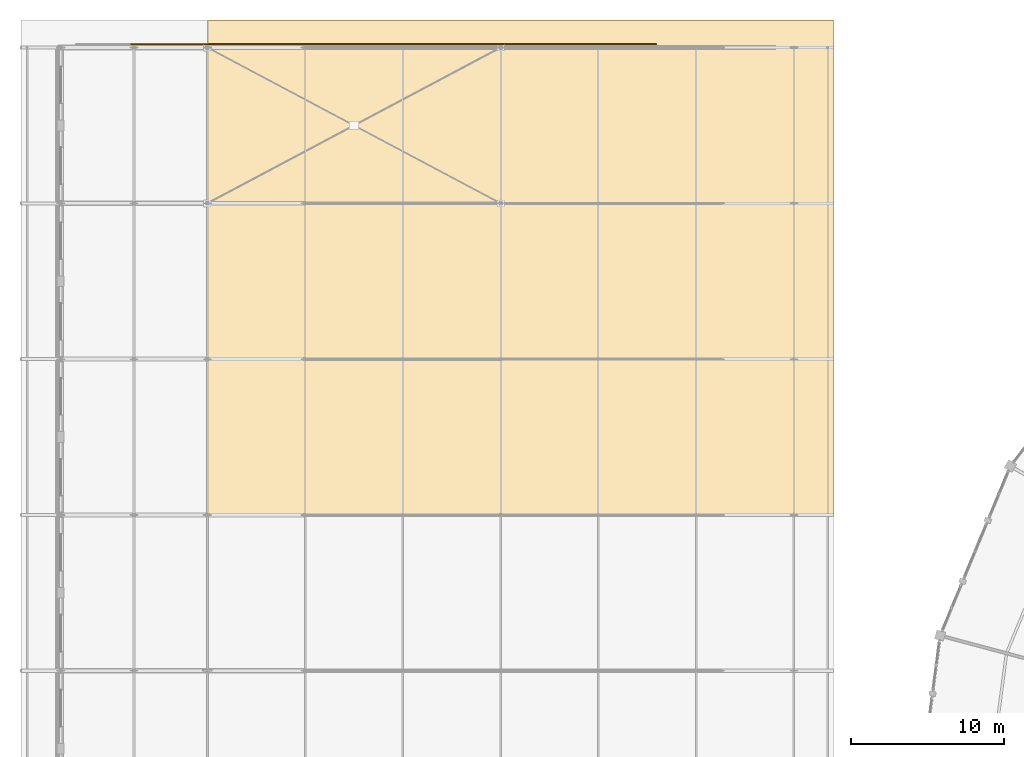
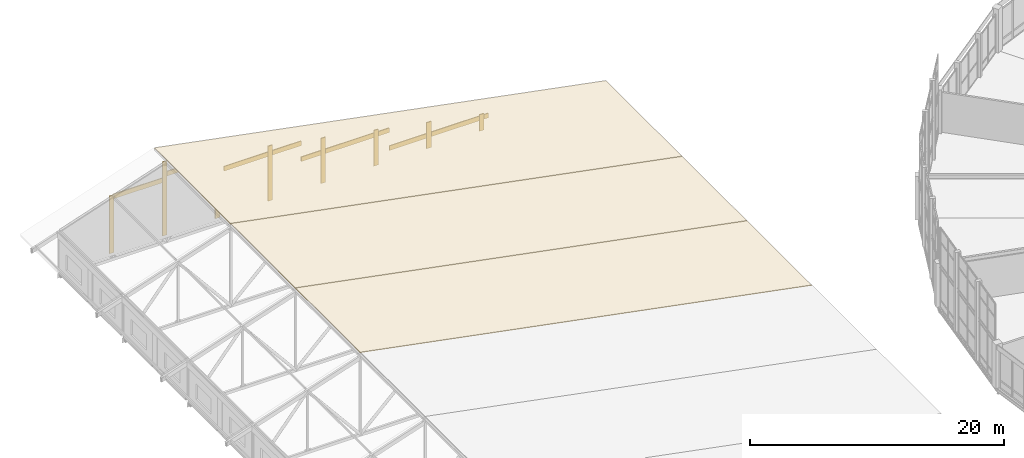
# One storey, part 195 of 200: 16 coverings.
"""IFC4 building model written with IfcOpenShell, lengths in metres."""

from ifc_helpers import new_model, si_unit, direction, frame, origin, origin_2d, place, context, subcontext, project, spatial, polyline, rectangle, outline, extrude, material, layer, layer_set, type_object, element, save


model = new_model("IFC4")

# Units and contexts
model_context = context("Model", 3, precision=1e-05, world=origin(), true_north=direction((0.0, 1.0)))
body_context = subcontext(model_context, "Body", "Model", "MODEL_VIEW")
ifc_project = project(units=[si_unit("LENGTHUNIT", "METRE"), si_unit("AREAUNIT", "SQUARE_METRE"), si_unit("VOLUMEUNIT", "CUBIC_METRE"), si_unit("PLANEANGLEUNIT", "RADIAN"), si_unit("MASSUNIT", "GRAM", prefix="KILO")], contexts=[model_context])

# Site, building, storey
site_placement = place(None, origin())
site = spatial("IfcSite", under=ifc_project, at=site_placement, CompositionType="ELEMENT")
building_placement = place(site_placement, origin())
building = spatial("IfcBuilding", under=site, at=building_placement, Name="Vondelvale Polytechnic", CompositionType="ELEMENT")
storey_placement = place(building_placement, frame((0.0, 0.0, 13.800048828125)))
storey = spatial("IfcBuildingStorey", under=building, at=storey_placement, Name="L03", CompositionType="ELEMENT", Elevation=13.800048828125)

# Coverings
ifc_material_1 = material(Name="Amsterdam School iron-spot clinker clay brickwork", Category="masonry")
ifc_layer_1 = layer(ifc_material_1, 0.090087890625)
ifc_layer_set_1 = layer_set([ifc_layer_1], Name="COV-BRICK-RELIEF")
covering_type_1 = type_object("IfcCoveringType", Name="COV-BRICK-RELIEF", PredefinedType="CLADDING", material=ifc_layer_set_1)
covering_1_placement = place(storey_placement, frame((4.800048828125, 122.614990234375, 0.0), z_axis=(0.0, 0.0, 1.0), x_axis=(1.0, 0.0, 0.0)))
element("IfcCovering", 1, at=covering_1_placement, inside=storey, type_object=covering_type_1, Name="L03 Amsterdam School gable vertical brick pier N-1", PredefinedType="CLADDING", context=body_context, shape_type="SweptSolid", body=[
    extrude(rectangle(XDim=0.419921875, YDim=0.090087890625, at=origin_2d()), origin(), (0.0, 0.0, 1.0), 5.519287109375),
])
covering_2_placement = place(storey_placement, frame((9.60009765625, 122.614990234375, 0.0), z_axis=(0.0, 0.0, 1.0), x_axis=(1.0, 0.0, 0.0)))
element("IfcCovering", 2, at=covering_2_placement, inside=storey, type_object=covering_type_1, Name="L03 Amsterdam School gable vertical brick pier N-2", PredefinedType="CLADDING", context=body_context, shape_type="SweptSolid", body=[
    extrude(rectangle(XDim=0.419921875, YDim=0.090087890625, at=origin_2d()), origin(), (0.0, 0.0, 1.0), 7.119140625),
])
covering_3_placement = place(storey_placement, frame((14.39990234375, 122.614990234375, 0.0), z_axis=(0.0, 0.0, 1.0), x_axis=(1.0, 0.0, 0.0)))
element("IfcCovering", 3, at=covering_3_placement, inside=storey, type_object=covering_type_1, Name="L03 Amsterdam School gable vertical brick pier N-3", PredefinedType="CLADDING", context=body_context, shape_type="SweptSolid", body=[
    extrude(rectangle(XDim=0.419921875, YDim=0.090087890625, at=origin_2d()), origin(), (0.0, 0.0, 1.0), 6.201416015625),
])
covering_4_placement = place(storey_placement, frame((19.199951171875, 122.614990234375, 0.0), z_axis=(0.0, 0.0, 1.0), x_axis=(1.0, 0.0, 0.0)))
element("IfcCovering", 4, at=covering_4_placement, inside=storey, type_object=covering_type_1, Name="L03 Amsterdam School gable vertical brick pier N-4", PredefinedType="CLADDING", context=body_context, shape_type="SweptSolid", body=[
    extrude(rectangle(XDim=0.419921875, YDim=0.090087890625, at=origin_2d()), origin(), (0.0, 0.0, 1.0), 5.2763671875),
])
covering_5_placement = place(storey_placement, frame((24.0, 122.614990234375, 0.0), z_axis=(0.0, 0.0, 1.0), x_axis=(1.0, 0.0, 0.0)))
element("IfcCovering", 5, at=covering_5_placement, inside=storey, type_object=covering_type_1, Name="L03 Amsterdam School gable vertical brick pier N-5", PredefinedType="CLADDING", context=body_context, shape_type="SweptSolid", body=[
    extrude(rectangle(XDim=0.419921875, YDim=0.090087890625, at=origin_2d()), origin(), (0.0, 0.0, 1.0), 4.351318359375),
])
covering_6_placement = place(storey_placement, frame((28.800048828125, 122.614990234375, 0.0), z_axis=(0.0, 0.0, 1.0), x_axis=(1.0, 0.0, 0.0)))
element("IfcCovering", 6, at=covering_6_placement, inside=storey, type_object=covering_type_1, Name="L03 Amsterdam School gable vertical brick pier N-6", PredefinedType="CLADDING", context=body_context, shape_type="SweptSolid", body=[
    extrude(rectangle(XDim=0.419921875, YDim=0.090087890625, at=origin_2d()), origin(), (0.0, 0.0, 1.0), 3.42626953125),
])
covering_7_placement = place(storey_placement, frame((33.60009765625, 122.614990234375, 0.0), z_axis=(0.0, 0.0, 1.0), x_axis=(1.0, 0.0, 0.0)))
element("IfcCovering", 7, at=covering_7_placement, inside=storey, type_object=covering_type_1, Name="L03 Amsterdam School gable vertical brick pier N-7", PredefinedType="CLADDING", context=body_context, shape_type="SweptSolid", body=[
    extrude(rectangle(XDim=0.419921875, YDim=0.090087890625, at=origin_2d()), origin(), (0.0, 0.0, 1.0), 2.501220703125),
])
covering_8_placement = place(storey_placement, frame((38.39990234375, 122.614990234375, 0.0), z_axis=(0.0, 0.0, 1.0), x_axis=(1.0, 0.0, 0.0)))
element("IfcCovering", 8, at=covering_8_placement, inside=storey, type_object=covering_type_1, Name="L03 Amsterdam School gable vertical brick pier N-8", PredefinedType="CLADDING", context=body_context, shape_type="SweptSolid", body=[
    extrude(rectangle(XDim=0.419921875, YDim=0.090087890625, at=origin_2d()), origin(), (0.0, 0.0, 1.0), 1.576416015625),
])
covering_9_placement = place(storey_placement, frame((7.300048828125, 122.614990234375, 5.14599609375), z_axis=(0.0, 0.0, 1.0), x_axis=(1.0, 0.0, 0.0)))
element("IfcCovering", 9, at=covering_9_placement, inside=storey, type_object=covering_type_1, Name="L03 stepped brick gable corbel N-2", PredefinedType="CLADDING", context=body_context, shape_type="SweptSolid", body=[
    extrude(rectangle(XDim=4.60009765625, YDim=0.090087890625, at=origin_2d()), origin(), (0.0, 0.0, 1.0), 0.43994140625),
])
covering_10_placement = place(storey_placement, frame((12.300048828125, 122.614990234375, 5.645751953125), z_axis=(0.0, 0.0, 1.0), x_axis=(1.0, 0.0, 0.0)))
element("IfcCovering", 10, at=covering_10_placement, inside=storey, type_object=covering_type_1, Name="L03 stepped brick gable corbel N-3", PredefinedType="CLADDING", context=body_context, shape_type="SweptSolid", body=[
    extrude(rectangle(XDim=5.39990234375, YDim=0.090087890625, at=origin_2d()), origin(), (0.0, 0.0, 1.0), 0.43994140625),
])
covering_11_placement = place(storey_placement, frame((18.5, 122.614990234375, 4.296630859375), z_axis=(0.0, 0.0, 1.0), x_axis=(1.0, 0.0, 0.0)))
element("IfcCovering", 11, at=covering_11_placement, inside=storey, type_object=covering_type_1, Name="L03 stepped brick gable corbel N-4", PredefinedType="CLADDING", context=body_context, shape_type="SweptSolid", body=[
    extrude(rectangle(XDim=7.0, YDim=0.090087890625, at=origin_2d()), origin(), (0.0, 0.0, 1.0), 0.43994140625),
])
covering_12_placement = place(storey_placement, frame((26.0, 122.614990234375, 2.755126953125), z_axis=(0.0, 0.0, 1.0), x_axis=(1.0, 0.0, 0.0)))
element("IfcCovering", 12, at=covering_12_placement, inside=storey, type_object=covering_type_1, Name="L03 stepped brick gable corbel N-5", PredefinedType="CLADDING", context=body_context, shape_type="SweptSolid", body=[
    extrude(rectangle(XDim=8.0, YDim=0.090087890625, at=origin_2d()), origin(), (0.0, 0.0, 1.0), 0.43994140625),
])
covering_13_placement = place(storey_placement, frame((34.5, 122.614990234375, 1.020751953125), z_axis=(0.0, 0.0, 1.0), x_axis=(1.0, 0.0, 0.0)))
element("IfcCovering", 13, at=covering_13_placement, inside=storey, type_object=covering_type_1, Name="L03 stepped brick gable corbel N-6", PredefinedType="CLADDING", context=body_context, shape_type="SweptSolid", body=[
    extrude(rectangle(XDim=9.0, YDim=0.090087890625, at=origin_2d()), origin(), (0.0, 0.0, 1.0), 0.43994140625),
])
ifc_material_2 = material(Name="Dark zinc-bronze standing-seam insulated roof system")
ifc_layer_2 = layer(ifc_material_2, 0.0400390625)
ifc_layer_set_2 = layer_set([ifc_layer_2], Name="COV-ROOF-ZINC")
covering_type_2 = type_object("IfcCoveringType", Name="COV-ROOF-ZINC", PredefinedType="ROOFING", material=ifc_layer_set_2)
for number, where, z_axis, x_axis, name in (
    (14, (9.60009765625, 91.800048828125, 7.429931640625), (0.189222993838, 0.0, 0.981934141683), (0.981934141683, 0.0, -0.189222993838), "Workshop insulated zinc roof deck underlay bay 5"),
    (15, (9.60009765625, 102.0, 7.429931640625), (0.189222993838, 0.0, 0.981934141683), (0.981934141683, 0.0, -0.189222993838), "Workshop insulated zinc roof deck underlay bay 6"),
):
    element("IfcCovering", number, at=place(storey_placement, frame(where, z_axis=z_axis, x_axis=x_axis)), inside=storey, type_object=covering_type_2, Name=name, PredefinedType="ROOFING", context=body_context, shape_type="SweptSolid", body=[
        extrude(outline(polyline([(0.0, 0.0), (41.75432776960044, 0.0), (41.75432776960044, 10.199951171875), (0.0, 10.199951171875), (0.0, 0.0)])), origin(), (0.0, 0.0, -1.0), 0.034912109375),
    ])
covering_14_placement = place(storey_placement, frame((9.60009765625, 112.199951171875, 7.429931640625), z_axis=(0.189222993838, 0.0, 0.981934141683), x_axis=(0.981934141683, 0.0, -0.189222993838)))
element("IfcCovering", 16, at=covering_14_placement, inside=storey, type_object=covering_type_2, Name="Workshop insulated zinc roof deck underlay bay 7", PredefinedType="ROOFING", context=body_context, shape_type="SweptSolid", body=[
    extrude(outline(polyline([(0.0, 0.0), (41.75432776960044, 0.0), (41.75432776960044, 12.0), (0.0, 12.0), (0.0, 0.0)])), origin(), (0.0, 0.0, -1.0), 0.034912109375),
])

save(model, "model.ifc")
